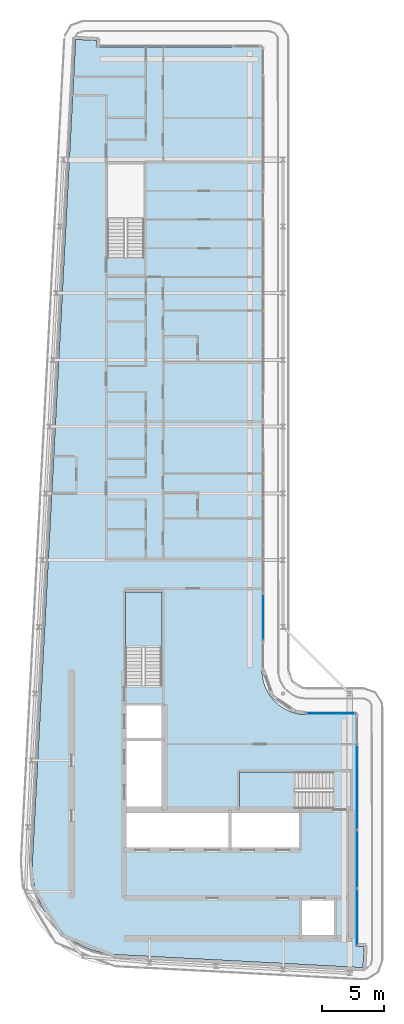
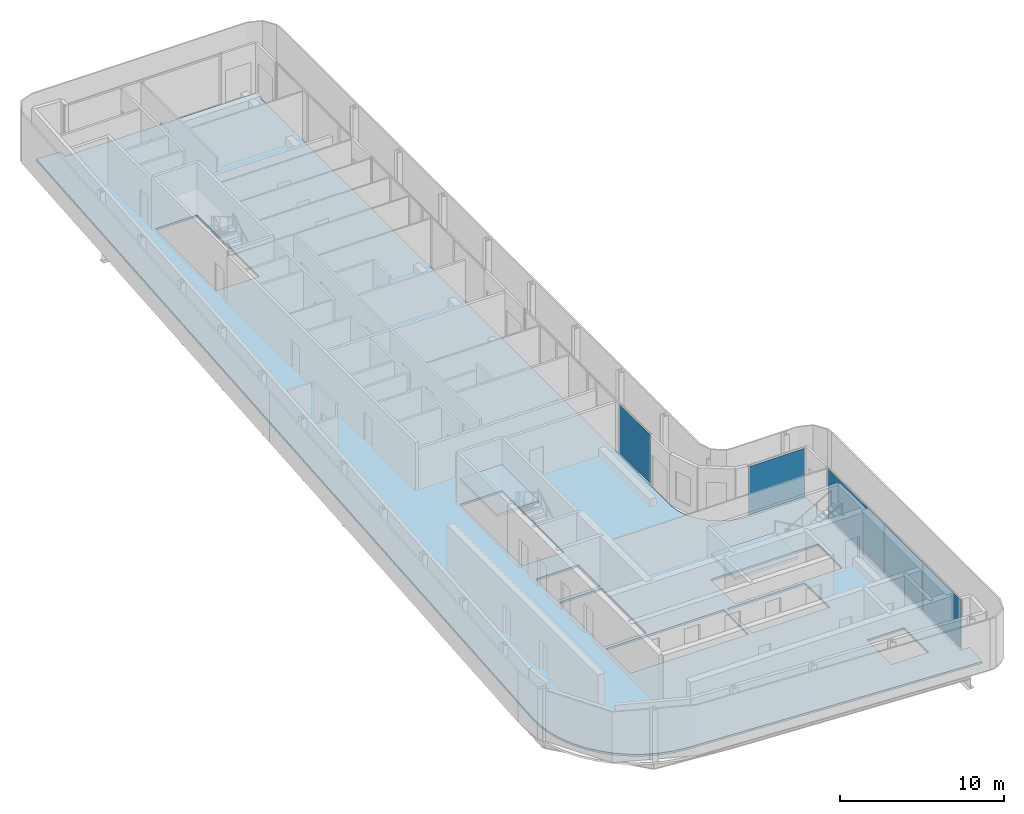
# One storey, part 7 of 18: 5 plates, 3 slabs, 6 elements without a shape of their own.
"""IFC4 building model written with IfcOpenShell, lengths in metres."""

from ifc_helpers import new_model, si_unit, direction, frame, origin, origin_2d, place, context, subcontext, project, spatial, polyline, rectangle, outline, extrude, material, layer, layer_set, type_object, element, aggregate, save


model = new_model("IFC4")

# Units and contexts
model_context = context("Model", 3, precision=1e-05, world=origin(), true_north=direction((0.0, 1.0)))
body_context = subcontext(model_context, "Body", "Model", "MODEL_VIEW")
ifc_project = project(units=[si_unit("LENGTHUNIT", "METRE"), si_unit("AREAUNIT", "SQUARE_METRE"), si_unit("VOLUMEUNIT", "CUBIC_METRE"), si_unit("PLANEANGLEUNIT", "RADIAN"), si_unit("MASSUNIT", "GRAM", prefix="KILO")], contexts=[model_context])

# Site, building, storey
site_placement = place(None, origin())
site = spatial("IfcSite", under=ifc_project, at=site_placement, CompositionType="ELEMENT")
building_placement = place(site_placement, origin())
building = spatial("IfcBuilding", under=site, at=building_placement, Name="Kheshtan School and Residences Tower", CompositionType="ELEMENT")
storey_placement = place(building_placement, frame((0.0, 0.0, 369.5)))
storey = spatial("IfcBuildingStorey", under=building, at=storey_placement, Name="L87", CompositionType="ELEMENT", Elevation=369.5)

# Curtain wall, plate
ifc_material_1 = material(Name="Clear low-e glass in thermally broken aluminium frame", Category="aluminium")
ifc_layer_1 = layer(ifc_material_1, 0.199951171875)
ifc_layer_set_1 = layer_set([ifc_layer_1], Name="Curtain wall CW-B")
curtain_wall_type_1 = type_object("IfcCurtainWallType", Name="Curtain wall CW-B", PredefinedType="NOTDEFINED", material=ifc_layer_set_1)
curtain_wall_1_placement = place(storey_placement, origin())
curtain_wall_1 = element("IfcCurtainWall", 1, at=curtain_wall_1_placement, inside=storey, type_object=curtain_wall_type_1, Name="Curtain wall CWB12", PredefinedType="NOTDEFINED")
ifc_layer_2 = layer(ifc_material_1, 0.031982421875)
ifc_layer_set_2 = layer_set([ifc_layer_2], Name="CW-B glass panel")
plate_type_1 = type_object("IfcPlateType", Name="CW-B glass panel", PredefinedType="CURTAIN_PANEL", material=ifc_layer_set_2)
plate_1_placement = place(storey_placement, frame((51.465087890625, 44.0, 0.0), z_axis=(0.0, 0.0, 1.0), x_axis=(1.0, 0.0, 0.0)))
plate_1 = element("IfcPlate", 2, at=plate_1_placement, type_object=plate_type_1, Name="CWB12 panel 1.1", PredefinedType="CURTAIN_PANEL", context=body_context, shape_type="SweptSolid", body=[
    extrude(rectangle(XDim=3.949951171875, YDim=0.031982421875, at=origin_2d()), origin(), (0.0, 0.0, 1.0), 3.6298828125),
])
aggregate(curtain_wall_1, [plate_1])

ifc_layer_3 = layer(ifc_material_1, 0.199951171875)
ifc_layer_set_3 = layer_set([ifc_layer_3], Name="Curtain wall CW-L")
curtain_wall_type_2 = type_object("IfcCurtainWallType", Name="Curtain wall CW-L", PredefinedType="NOTDEFINED", material=ifc_layer_set_3)
curtain_wall_2_placement = place(storey_placement, origin())
curtain_wall_2 = element("IfcCurtainWall", 3, at=curtain_wall_2_placement, inside=storey, type_object=curtain_wall_type_2, Name="Curtain wall CWL8c", PredefinedType="NOTDEFINED")
ifc_layer_4 = layer(ifc_material_1, 0.031982421875)
ifc_layer_set_4 = layer_set([ifc_layer_4], Name="CW-L glass panel")
plate_type_2 = type_object("IfcPlateType", Name="CW-L glass panel", PredefinedType="CURTAIN_PANEL", material=ifc_layer_set_4)
plate_2_placement = place(storey_placement, frame((46.0, 51.7685546875, 0.0), z_axis=(0.0, 0.0, 1.0), x_axis=(0.0, -1.0, 0.0)))
plate_2 = element("IfcPlate", 4, at=plate_2_placement, type_object=plate_type_2, Name="CWL8c panel 3.1", PredefinedType="CURTAIN_PANEL", context=body_context, shape_type="SweptSolid", body=[
    extrude(rectangle(XDim=3.757080078125, YDim=0.031982421875, at=origin_2d()), origin(), (0.0, 0.0, 1.0), 3.6298828125),
])
aggregate(curtain_wall_2, [plate_2])

curtain_wall_3_placement = place(storey_placement, origin())
curtain_wall_3 = element("IfcCurtainWall", 5, at=curtain_wall_3_placement, inside=storey, type_object=curtain_wall_type_2, Name="Curtain wall CWL13h", PredefinedType="NOTDEFINED")
plate_3_placement = place(storey_placement, frame((53.60009765625, 38.013916015625, 0.0), z_axis=(0.0, 0.0, 1.0), x_axis=(0.0, -1.0, 0.0)))
plate_3 = element("IfcPlate", 6, at=plate_3_placement, type_object=plate_type_2, Name="CWL13h panel 1.1", PredefinedType="CURTAIN_PANEL", context=body_context, shape_type="SweptSolid", body=[
    extrude(rectangle(XDim=6.85205078125, YDim=0.031982421875, at=origin_2d()), origin(), (0.0, 0.0, 1.0), 3.6298828125),
])
aggregate(curtain_wall_3, [plate_3])

# Curtain wall, plates
curtain_wall_4_placement = place(storey_placement, origin())
curtain_wall_4 = element("IfcCurtainWall", 7, at=curtain_wall_4_placement, inside=storey, type_object=curtain_wall_type_2, Name="Curtain wall CWL13i", PredefinedType="NOTDEFINED")
plate_4_placement = place(storey_placement, frame((53.60009765625, 32.199951171875, 0.0), z_axis=(0.0, 0.0, 1.0), x_axis=(0.0, -1.0, 0.0)))
plate_4 = element("IfcPlate", 8, at=plate_4_placement, type_object=plate_type_2, Name="CWL13i panel 1.1", PredefinedType="CURTAIN_PANEL", context=body_context, shape_type="SweptSolid", body=[
    extrude(rectangle(XDim=4.656005859375, YDim=0.031982421875, at=origin_2d()), origin(), (0.0, 0.0, 1.0), 3.6298828125),
])
plate_5_placement = place(storey_placement, frame((53.60009765625, 27.513916015625, 0.0), z_axis=(0.0, 0.0, 1.0), x_axis=(0.0, -1.0, 0.0)))
plate_5 = element("IfcPlate", 9, at=plate_5_placement, type_object=plate_type_2, Name="CWL13i panel 2.1", PredefinedType="CURTAIN_PANEL", context=body_context, shape_type="SweptSolid", body=[
    extrude(rectangle(XDim=4.595947265625, YDim=0.031982421875, at=origin_2d()), origin(), (0.0, 0.0, 1.0), 3.6298828125),
])
aggregate(curtain_wall_4, [plate_4, plate_5])

# Slab
ifc_material_2 = material(Name="Concrete C40/50", Category="concrete")
ifc_layer_5 = layer(ifc_material_2, 0.14990234375)
ifc_layer_set_5 = layer_set([ifc_layer_5], Name="Floor slab 150 Concrete C40/50")
slab_type_1 = type_object("IfcSlabType", Name="Floor slab 150 Concrete C40/50", PredefinedType="FLOOR", material=ifc_layer_set_5)
slab_1_placement = place(storey_placement, frame((0.0, 0.0, -0.14990234375)))
element("IfcSlab", 10, at=slab_1_placement, inside=storey, type_object=slab_type_1, Name="Floor slab L87", PredefinedType="FLOOR", context=body_context, shape_type="SweptSolid", body=[
    extrude(outline(polyline([(28.55908203125, 27.550048828125), (28.0849609375, 28.345947265625), (27.718017578125, 29.200927734375), (27.466064453125, 30.093017578125), (27.466064453125, 30.093994140625), (27.3330078125, 31.013916015625), (27.320068359375, 31.965087890625), (27.320068359375, 31.970947265625), (30.822021484375, 98.5009765625), (30.822998046875, 98.508056640625), (30.825927734375, 98.531005859375), (30.825927734375, 98.531982421875), (30.826904296875, 98.531982421875), (31.422119140625, 98.5), (31.423095703125, 98.5), (31.423095703125, 98.4990234375), (31.423095703125, 98.4951171875), (31.423095703125, 98.493896484375), (31.424072265625, 98.493896484375), (31.424072265625, 98.492919921875), (31.425048828125, 98.492919921875), (31.426025390625, 98.492919921875), (31.426025390625, 98.493896484375), (31.427978515625, 98.49609375), (31.428955078125, 98.4970703125), (31.429931640625, 98.498046875), (31.430908203125, 98.498046875), (31.430908203125, 98.4990234375), (31.431884765625, 98.4990234375), (31.431884765625, 98.5), (31.43505859375, 98.5009765625), (31.43603515625, 98.501953125), (31.43896484375, 98.501953125), (31.43994140625, 98.501953125), (31.43994140625, 98.5029296875), (31.44091796875, 98.5029296875), (31.446044921875, 98.5029296875), (32.5009765625, 98.447021484375), (32.50390625, 98.447021484375), (32.5048828125, 98.447021484375), (32.5048828125, 98.446044921875), (32.506103515625, 98.446044921875), (32.510009765625, 98.446044921875), (32.510009765625, 98.445068359375), (32.510986328125, 98.445068359375), (32.510986328125, 98.444091796875), (32.511962890625, 98.444091796875), (32.511962890625, 98.443115234375), (32.512939453125, 98.443115234375), (32.513916015625, 98.443115234375), (32.513916015625, 98.44189453125), (32.514892578125, 98.44189453125), (32.51611328125, 98.44189453125), (32.51904296875, 98.43896484375), (32.51904296875, 98.43798828125), (32.51904296875, 98.43701171875), (32.52001953125, 98.43701171875), (32.52001953125, 98.43603515625), (32.52099609375, 98.43603515625), (32.52099609375, 98.43408203125), (32.52099609375, 98.43310546875), (32.52197265625, 98.43310546875), (32.52197265625, 98.431884765625), (32.52294921875, 98.431884765625), (32.52294921875, 98.430908203125), (32.52294921875, 98.428955078125), (32.52294921875, 98.427978515625), (32.52392578125, 98.427978515625), (32.52392578125, 98.427001953125), (32.52392578125, 98.422119140625), (32.4970703125, 97.9208984375), (32.4970703125, 97.91796875), (32.4970703125, 97.9169921875), (32.49609375, 97.9169921875), (32.49609375, 97.916015625), (32.49609375, 97.912109375), (32.4951171875, 97.910888671875), (32.4951171875, 97.909912109375), (32.493896484375, 97.909912109375), (32.493896484375, 97.908935546875), (32.492919921875, 97.908935546875), (32.492919921875, 97.907958984375), (32.489013671875, 97.904052734375), (32.488037109375, 97.904052734375), (32.488037109375, 97.903076171875), (32.488037109375, 97.902099609375), (32.488037109375, 97.90087890625), (32.489013671875, 97.90087890625), (32.489013671875, 97.89990234375), (32.489990234375, 97.89990234375), (45.85498046875, 97.89990234375), (45.864990234375, 97.89794921875), (45.865966796875, 97.89794921875), (45.868896484375, 97.89599609375), (45.8740234375, 97.89404296875), (45.8779296875, 97.89208984375), (45.881103515625, 97.889892578125), (45.881103515625, 97.888916015625), (45.882080078125, 97.888916015625), (45.882080078125, 97.887939453125), (45.883056640625, 97.887939453125), (45.884033203125, 97.885009765625), (45.885009765625, 97.885009765625), (45.885009765625, 97.884033203125), (45.887939453125, 97.883056640625), (45.887939453125, 97.882080078125), (45.888916015625, 97.882080078125), (45.888916015625, 97.881103515625), (45.889892578125, 97.881103515625), (45.89208984375, 97.8779296875), (45.89404296875, 97.8740234375), (45.89599609375, 97.868896484375), (45.89794921875, 97.865966796875), (45.89794921875, 97.864990234375), (45.89990234375, 97.85498046875), (45.89990234375, 47.429931640625), (45.927001953125, 47.030029296875), (46.01806640625, 46.570068359375), (46.01806640625, 46.569091796875), (46.169921875, 46.1201171875), (46.37890625, 45.697021484375), (46.638916015625, 45.30810546875), (46.949951171875, 44.950927734375), (46.950927734375, 44.949951171875), (47.30810546875, 44.638916015625), (47.697021484375, 44.37890625), (48.1201171875, 44.169921875), (48.569091796875, 44.01806640625), (48.570068359375, 44.01806640625), (49.030029296875, 43.927001953125), (49.429931640625, 43.89990234375), (53.455078125, 43.89990234375), (53.465087890625, 43.89794921875), (53.466064453125, 43.89794921875), (53.468994140625, 43.89599609375), (53.47412109375, 43.89404296875), (53.47802734375, 43.89208984375), (53.48095703125, 43.889892578125), (53.48095703125, 43.888916015625), (53.48193359375, 43.888916015625), (53.48193359375, 43.887939453125), (53.48291015625, 43.887939453125), (53.48388671875, 43.885009765625), (53.485107421875, 43.885009765625), (53.485107421875, 43.884033203125), (53.488037109375, 43.883056640625), (53.488037109375, 43.882080078125), (53.489013671875, 43.882080078125), (53.489013671875, 43.881103515625), (53.489990234375, 43.881103515625), (53.491943359375, 43.8779296875), (53.493896484375, 43.8740234375), (53.49609375, 43.868896484375), (53.498046875, 43.865966796875), (53.498046875, 43.864990234375), (53.4990234375, 43.860107421875), (53.5, 43.85498046875), (53.5, 25.15087890625), (53.5, 25.14990234375), (53.5009765625, 25.14990234375), (53.5009765625, 25.14892578125), (53.501953125, 25.14892578125), (53.5029296875, 25.14892578125), (53.5029296875, 25.14990234375), (53.506103515625, 25.153076171875), (53.507080078125, 25.154052734375), (53.508056640625, 25.154052734375), (53.508056640625, 25.155029296875), (53.509033203125, 25.155029296875), (53.509033203125, 25.156005859375), (53.512939453125, 25.157958984375), (53.51611328125, 25.157958984375), (53.51708984375, 25.157958984375), (53.51708984375, 25.158935546875), (53.51806640625, 25.158935546875), (53.52294921875, 25.158935546875), (54.137939453125, 25.1259765625), (54.14111328125, 25.1259765625), (54.14208984375, 25.1259765625), (54.14208984375, 25.125), (54.14306640625, 25.125), (54.14697265625, 25.125), (54.14697265625, 25.1240234375), (54.14794921875, 25.1240234375), (54.14794921875, 25.123046875), (54.14892578125, 25.123046875), (54.14892578125, 25.1220703125), (54.14990234375, 25.1220703125), (54.15087890625, 25.1220703125), (54.15087890625, 25.12109375), (54.152099609375, 25.12109375), (54.153076171875, 25.12109375), (54.156005859375, 25.117919921875), (54.156005859375, 25.116943359375), (54.156005859375, 25.115966796875), (54.156982421875, 25.115966796875), (54.156982421875, 25.114990234375), (54.157958984375, 25.114990234375), (54.157958984375, 25.113037109375), (54.157958984375, 25.112060546875), (54.158935546875, 25.112060546875), (54.158935546875, 25.111083984375), (54.159912109375, 25.111083984375), (54.159912109375, 25.110107421875), (54.159912109375, 25.10791015625), (54.159912109375, 25.10693359375), (54.160888671875, 25.10693359375), (54.160888671875, 25.10595703125), (54.160888671875, 25.10107421875), (54.10498046875, 24.0439453125), (54.10498046875, 24.041015625), (54.10498046875, 24.0400390625), (54.10400390625, 24.0400390625), (54.10400390625, 24.0390625), (54.10400390625, 24.034912109375), (54.10302734375, 24.033935546875), (54.10302734375, 24.032958984375), (54.10205078125, 24.032958984375), (54.10205078125, 24.031982421875), (54.10107421875, 24.031982421875), (54.10107421875, 24.031005859375), (54.096923828125, 24.027099609375), (54.095947265625, 24.027099609375), (54.095947265625, 24.02587890625), (54.095947265625, 24.02490234375), (54.095947265625, 24.02392578125), (54.096923828125, 24.02392578125), (54.096923828125, 24.02294921875), (54.097900390625, 24.02294921875), (54.09912109375, 24.02294921875), (54.10009765625, 24.02294921875), (54.10009765625, 24.02197265625), (54.068115234375, 23.427001953125), (54.068115234375, 23.426025390625), (54.06689453125, 23.426025390625), (54.04296875, 23.425048828125), (54.0380859375, 23.425048828125), (34.056884765625, 24.47802734375), (33.114990234375, 24.590087890625), (32.215087890625, 24.819091796875), (32.214111328125, 24.819091796875), (31.35205078125, 25.1630859375), (30.541015625, 25.616943359375), (29.799072265625, 26.1708984375), (29.799072265625, 26.172119140625), (29.798095703125, 26.172119140625), (29.134033203125, 26.820068359375), (29.134033203125, 26.821044921875), (29.133056640625, 26.821044921875), (28.55908203125, 27.550048828125)]), holes=[polyline([(53.5009765625, 24.030029296875), (53.5, 24.030029296875), (53.5, 24.029052734375), (53.5, 24.02490234375), (53.5, 24.02392578125), (53.5009765625, 24.02392578125), (53.5009765625, 24.02294921875), (53.501953125, 24.02294921875), (53.506103515625, 24.02294921875), (53.507080078125, 24.02294921875), (53.507080078125, 24.02392578125), (53.508056640625, 24.02392578125), (53.508056640625, 24.02490234375), (53.508056640625, 24.02587890625), (53.507080078125, 24.02587890625), (53.50390625, 24.029052734375), (53.5029296875, 24.030029296875), (53.5029296875, 24.031005859375), (53.501953125, 24.031005859375), (53.5009765625, 24.031005859375), (53.5009765625, 24.030029296875)]), polyline([(31.424072265625, 97.906982421875), (31.423095703125, 97.906982421875), (31.423095703125, 97.906005859375), (31.423095703125, 97.902099609375), (31.423095703125, 97.90087890625), (31.424072265625, 97.90087890625), (31.424072265625, 97.89990234375), (31.425048828125, 97.89990234375), (31.428955078125, 97.89990234375), (31.429931640625, 97.89990234375), (31.429931640625, 97.90087890625), (31.430908203125, 97.90087890625), (31.430908203125, 97.902099609375), (31.430908203125, 97.903076171875), (31.429931640625, 97.903076171875), (31.428955078125, 97.904052734375), (31.427978515625, 97.905029296875), (31.427001953125, 97.906005859375), (31.426025390625, 97.906982421875), (31.426025390625, 97.907958984375), (31.425048828125, 97.907958984375), (31.424072265625, 97.907958984375), (31.424072265625, 97.906982421875)]), polyline([(51.72509765625, 28.925048828125), (49.125, 28.925048828125), (49.125, 25.925048828125), (51.72509765625, 25.925048828125), (51.72509765625, 28.925048828125)]), polyline([(43.175048828125, 33.074951171875), (43.175048828125, 36.074951171875), (34.875, 36.074951171875), (34.875, 33.074951171875), (43.175048828125, 33.074951171875)]), polyline([(43.425048828125, 36.074951171875), (43.425048828125, 33.074951171875), (48.875, 33.074951171875), (48.875, 36.074951171875), (43.425048828125, 36.074951171875)]), polyline([(51.64990234375, 37.699951171875), (51.64990234375, 39.25), (44.090087890625, 39.25), (44.090087890625, 36.300048828125), (51.639892578125, 36.300048828125), (51.639892578125, 37.699951171875), (51.64990234375, 37.699951171875)]), polyline([(37.875, 41.77490234375), (34.875, 41.77490234375), (34.875, 36.324951171875), (37.875, 36.324951171875), (37.875, 41.77490234375)]), polyline([(37.875, 44.625), (34.875, 44.625), (34.875, 42.02490234375), (37.875, 42.02490234375), (37.875, 44.625)]), polyline([(37.800048828125, 53.81005859375), (34.85009765625, 53.81005859375), (34.85009765625, 46.260009765625), (36.25, 46.260009765625), (36.25, 46.25), (37.800048828125, 46.25), (37.800048828125, 53.81005859375)]), polyline([(36.35009765625, 88.4599609375), (33.39990234375, 88.4599609375), (33.39990234375, 80.909912109375), (34.800048828125, 80.909912109375), (34.800048828125, 80.89990234375), (36.35009765625, 80.89990234375), (36.35009765625, 88.4599609375)])]), origin(), (0.0, 0.0, 1.0), 0.14990234375),
])

# Stair, slab
stair_type = type_object("IfcStairType", Name="Exit stair, half-turn", PredefinedType="HALF_TURN_STAIR", material=ifc_material_2)
stair_1_placement = place(storey_placement, origin())
stair_1 = element("IfcStair", 11, at=stair_1_placement, inside=storey, type_object=stair_type, Name="L87 Protected Exit Stair ST1", PredefinedType="HALF_TURN_STAIR")
ifc_layer_6 = layer(ifc_material_2, 0.199951171875)
ifc_layer_set_6 = layer_set([ifc_layer_6], Name="Stair landing 200 Concrete C40/50")
slab_type_2 = type_object("IfcSlabType", Name="Stair landing 200 Concrete C40/50", PredefinedType="LANDING", material=ifc_layer_set_6)
slab_2_placement = place(storey_placement, frame((0.0, 0.0, 1.75)))
slab_2 = element("IfcSlab", 12, at=slab_2_placement, type_object=slab_type_2, Name="ST1 landing 1", PredefinedType="LANDING", context=body_context, shape_type="SweptSolid", body=[
    extrude(outline(polyline([(48.570068359375, 39.25), (44.090087890625, 39.25), (44.090087890625, 36.300048828125), (48.570068359375, 36.300048828125), (48.570068359375, 39.25)])), origin(), (0.0, 0.0, 1.0), 0.199951171875),
])
aggregate(stair_1, [slab_2])

stair_2_placement = place(storey_placement, origin())
stair_2 = element("IfcStair", 13, at=stair_2_placement, inside=storey, type_object=stair_type, Name="L87 Protected Exit Stair ST2", PredefinedType="HALF_TURN_STAIR")
slab_3_placement = place(storey_placement, frame((0.0, 0.0, 1.75)))
slab_3 = element("IfcSlab", 14, at=slab_3_placement, type_object=slab_type_2, Name="ST2 landing 1", PredefinedType="LANDING", context=body_context, shape_type="SweptSolid", body=[
    extrude(outline(polyline([(37.800048828125, 49.330078125), (37.800048828125, 53.81005859375), (34.85009765625, 53.81005859375), (34.85009765625, 49.330078125), (37.800048828125, 49.330078125)])), origin(), (0.0, 0.0, 1.0), 0.199951171875),
])
aggregate(stair_2, [slab_3])

save(model, "model.ifc")
